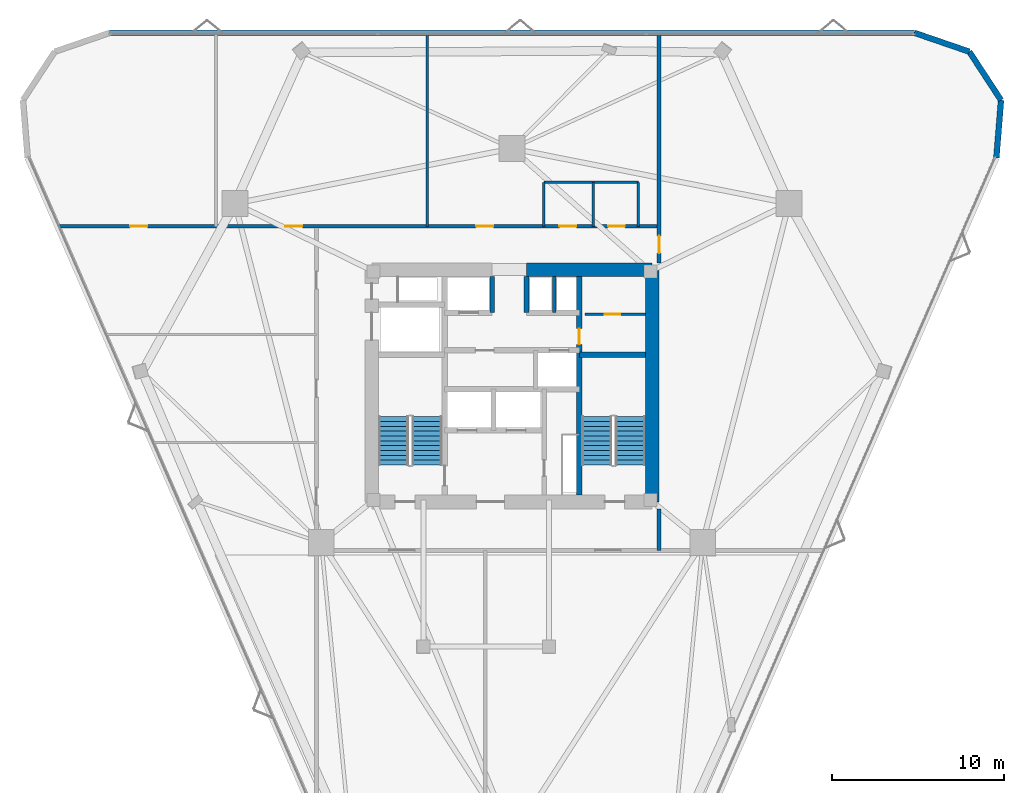
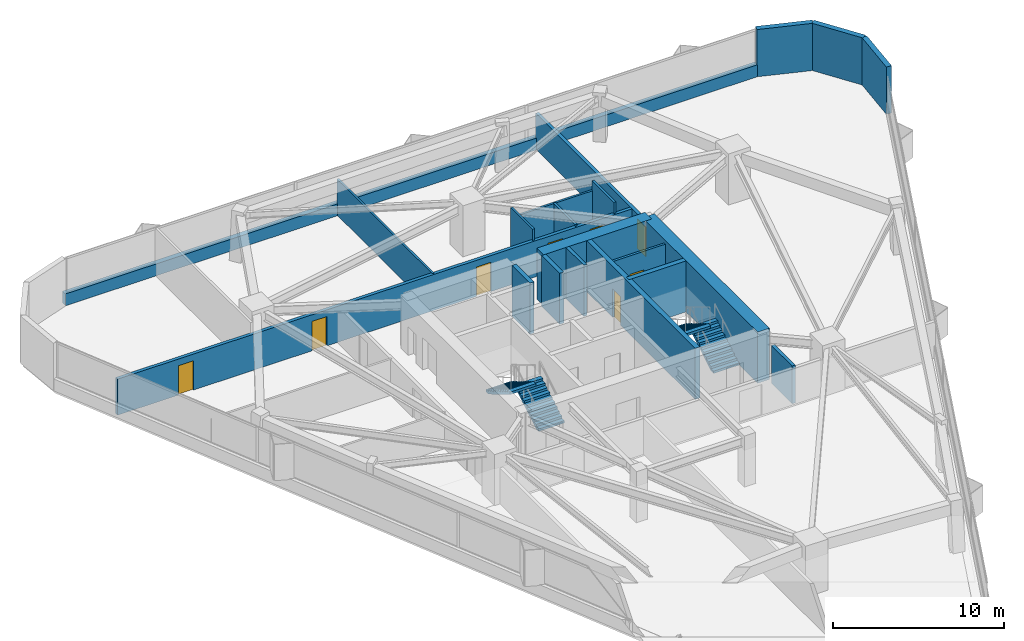
# One storey, part 11 of 13: 20 walls, 8 doors, 4 stair flights, 8 openings, 2 elements without a shape of their own.
"""IFC4 building model written with IfcOpenShell, lengths in metres."""

from ifc_helpers import new_model, si_unit, direction, frame, frame_2d, origin, place, context, subcontext, project, spatial, polyline, rectangle, outline, extrude, material, layer, layer_set, type_object, element, fill, aggregate, save


model = new_model("IFC4")

# Units and contexts
model_context = context("Model", 3, precision=1e-05, world=origin(), true_north=direction((0.0, 1.0)))
body_context = subcontext(model_context, "Body", "Model", "MODEL_VIEW")
ifc_project = project(units=[si_unit("LENGTHUNIT", "METRE"), si_unit("AREAUNIT", "SQUARE_METRE"), si_unit("VOLUMEUNIT", "CUBIC_METRE"), si_unit("PLANEANGLEUNIT", "RADIAN"), si_unit("MASSUNIT", "GRAM", prefix="KILO")], contexts=[model_context])

# Site, building, storey
site_placement = place(None, origin())
site = spatial("IfcSite", under=ifc_project, at=site_placement, CompositionType="ELEMENT")
building_placement = place(site_placement, origin())
building = spatial("IfcBuilding", under=site, at=building_placement, Name="Talyreon Biosciences Tower", CompositionType="ELEMENT")
storey_placement = place(building_placement, frame((0.0, 0.0, 145.449951171875)))
storey = spatial("IfcBuildingStorey", under=building, at=storey_placement, Name="L38", CompositionType="ELEMENT", Elevation=145.449951171875)

# Walls
ifc_material_1 = material(Name="Concrete C50/60", Category="concrete")
ifc_layer_1 = layer(ifc_material_1, 0.219970703125)
ifc_layer_set_1 = layer_set([ifc_layer_1], Name="Concrete C50/60")
wall_type_1 = type_object("IfcWallType", Name="CoreShearWall_220", PredefinedType="SHEAR", material=ifc_layer_set_1)
wall_1_placement = place(storey_placement, frame((68.4599609375, 72.25, 0.0), z_axis=(0.0, 0.0, 1.0), x_axis=(0.0, 1.0, 0.0)))
element("IfcWall", 1, at=wall_1_placement, inside=storey, type_object=wall_type_1, Name="L38 Core Shaft Wall SWPHD", PredefinedType="SHEAR", context=body_context, shape_type="SweptSolid", body=[
    extrude(rectangle(XDim=2.10009765625, YDim=0.219970703125, at=frame_2d((1.050048828125, 0.0))), origin(), (0.0, 0.0, 1.0), 3.650146484375),
])
ifc_layer_2 = layer(ifc_material_1, 0.280029296875)
ifc_layer_set_2 = layer_set([ifc_layer_2], Name="Concrete C50/60")
wall_type_2 = type_object("IfcWallType", Name="CoreShearWall_280", PredefinedType="SHEAR", material=ifc_layer_set_2)
for number, where, z_axis, x_axis, name in (
    (2, (64.85009765625, 72.25, 0.0), (0.0, 0.0, 1.0), (0.0, 1.0, 0.0), "L38 Core Shaft Wall SWTHW"),
    (3, (66.85009765625, 72.25, 0.0), (0.0, 0.0, 1.0), (0.0, 1.0, 0.0), "L38 Core Shaft Wall SWTHE"),
):
    element("IfcWall", number, at=place(storey_placement, frame(where, z_axis=z_axis, x_axis=x_axis)), inside=storey, type_object=wall_type_2, Name=name, PredefinedType="SHEAR", context=body_context, shape_type="SweptSolid", body=[
        extrude(rectangle(XDim=2.10009765625, YDim=0.280029296875, at=frame_2d((1.050048828125, 0.0))), origin(), (0.0, 0.0, 1.0), 3.650146484375),
    ])

# Wall, opening, door
ifc_layer_3 = layer(ifc_material_1, 0.320068359375)
ifc_layer_set_3 = layer_set([ifc_layer_3], Name="Concrete C50/60")
wall_type_3 = type_object("IfcWallType", Name="CoreShearWall_320", PredefinedType="SHEAR", material=ifc_layer_set_3)
wall_2_placement = place(storey_placement, frame((69.909912109375, 61.64990234375, 0.0), z_axis=(0.0, 0.0, 1.0), x_axis=(0.0, 1.0, 0.0)))
wall_2 = element("IfcWall", 4, at=wall_2_placement, inside=storey, type_object=wall_type_3, Name="L38 Core Shaft Wall SW2W", PredefinedType="SHEAR", context=body_context, shape_type="SweptSolid", body=[
    extrude(rectangle(XDim=12.7001953125, YDim=0.320068359375, at=frame_2d((6.35009765625, 0.0))), origin(), (0.0, 0.0, 1.0), 3.650146484375),
])
opening_1_placement = place(wall_2_placement, frame((8.75, 0.0, 0.0)))
opening_1 = element("IfcOpeningElement", 5, at=opening_1_placement, cuts=wall_2, Name="Opening DR-L38-CSRV", PredefinedType="OPENING", context=body_context, shape_type="SweptSolid", body=[
    extrude(rectangle(XDim=0.919921875, YDim=2.050048828125, at=frame_2d((0.4599609375, 1.02490234375))), frame((0.0, 0.169921875, 0.0), z_axis=(0.0, -1.0, 0.0), x_axis=(1.0, 0.0, 0.0)), (0.0, 0.0, 1.0), 0.340087890625),
])
ifc_material_2 = material(Name="Painted steel fire-rated riser door", Category="steel")
door_type_1 = type_object("IfcDoorType", Name="RiserPlantAccessDoor_920x2050", OperationType="NOTDEFINED", PredefinedType="DOOR", material=ifc_material_2)
door_1_placement = place(opening_1_placement, origin())
door_1 = element("IfcDoor", 6, at=door_1_placement, inside=storey, type_object=door_type_1, Name="L38 Core Door DR-L38-CSRV", OperationType="SINGLE_SWING_RIGHT", OverallHeight=2.050048828125, OverallWidth=0.919921875, PredefinedType="DOOR", context=body_context, shape_type="SweptSolid", body=[
    extrude(rectangle(XDim=0.919921875, YDim=2.050048828125, at=frame_2d((0.4599609375, 1.02490234375))), frame((0.0, 0.02490234375, 0.0), z_axis=(0.0, -1.0, 0.0), x_axis=(1.0, 0.0, 0.0)), (0.0, 0.0, 1.0), 0.050048828125),
])
fill(opening_1, door_1)

# Walls
wall_3_placement = place(storey_placement, frame((69.909912109375, 69.81005859375, 0.0), z_axis=(0.0, 0.0, 1.0), x_axis=(1.0, 0.0, 0.0)))
element("IfcWall", 7, at=wall_3_placement, inside=storey, type_object=wall_type_3, Name="L38 Core Shaft Wall SW2N", PredefinedType="SHEAR", context=body_context, shape_type="SweptSolid", body=[
    extrude(rectangle(XDim=3.840087890625, YDim=0.320068359375, at=frame_2d((1.919921875, 0.0))), origin(), (0.0, 0.0, 1.0), 3.650146484375),
])
ifc_material_3 = material(Name="Concrete C60/75", Category="concrete")
ifc_layer_4 = layer(ifc_material_3, 0.800048828125)
ifc_layer_set_4 = layer_set([ifc_layer_4], Name="Concrete C60/75")
wall_type_4 = type_object("IfcWallType", Name="CoreShearWall_800", PredefinedType="SHEAR", material=ifc_layer_set_4)
wall_4_placement = place(storey_placement, frame((74.14990234375, 61.25, 0.0), z_axis=(0.0, 0.0, 1.0), x_axis=(0.0, 1.0, 0.0)))
element("IfcWall", 8, at=wall_4_placement, inside=storey, type_object=wall_type_4, Name="L38 Core Shear Wall E", PredefinedType="SHEAR", context=body_context, shape_type="SweptSolid", body=[
    extrude(rectangle(XDim=13.5, YDim=0.800048828125, at=frame_2d((6.75, 0.0))), origin(), (0.0, 0.0, 1.0), 3.650146484375),
])
wall_5_placement = place(storey_placement, frame((74.14990234375, 74.75, 0.0), z_axis=(0.0, 0.0, 1.0), x_axis=(-1.0, 0.0, 0.0)))
element("IfcWall", 9, at=wall_5_placement, inside=storey, type_object=wall_type_4, Name="L38 Core Shear Wall NE", PredefinedType="SHEAR", context=body_context, shape_type="SweptSolid", body=[
    extrude(rectangle(XDim=7.2998046875, YDim=0.800048828125, at=frame_2d((3.64990234375, 0.0))), origin(), (0.0, 0.0, 1.0), 3.650146484375),
])

# Wall, openings, doors
ifc_material_4 = material(Name="Gypsum fireboard acoustic stud", Category="gypsum")
ifc_layer_5 = layer(ifc_material_4, 0.219970703125)
ifc_layer_set_5 = layer_set([ifc_layer_5], Name="Gypsum fireboard acoustic stud")
wall_type_5 = type_object("IfcWallType", Name="CorridorRatedPartition_220", PredefinedType="PARTITIONING", material=ifc_layer_set_5)
wall_6_placement = place(storey_placement, frame((39.665283203125, 77.27001953125, 0.0), z_axis=(0.0, 0.0, 1.0), x_axis=(1.0, 0.0, 0.0)))
wall_6 = element("IfcWall", 10, at=wall_6_placement, inside=storey, type_object=wall_type_5, Name="L38 Interior Wall IW-L38-COR-N", PredefinedType="PARTITIONING", context=body_context, shape_type="SweptSolid", body=[
    extrude(rectangle(XDim=34.884765625, YDim=0.219970703125, at=frame_2d((17.4423828125, 0.0))), origin(), (0.0, 0.0, 1.0), 2.574951171875),
])
opening_2_placement = place(wall_6_placement, frame((29.094970703125, 0.0, 0.0)))
opening_2 = element("IfcOpeningElement", 11, at=opening_2_placement, cuts=wall_6, Name="Opening DR-L38-WC", PredefinedType="OPENING", context=body_context, shape_type="SweptSolid", body=[
    extrude(rectangle(XDim=0.97998046875, YDim=2.10009765625, at=frame_2d((0.489990234375, 1.050048828125))), frame((0.0, 0.119873046875, 0.0), z_axis=(0.0, -1.0, 0.0), x_axis=(1.0, 0.0, 0.0)), (0.0, 0.0, 1.0), 0.239990234375),
])
opening_3_placement = place(wall_6_placement, frame((31.919921875, 0.0, 0.0)))
opening_3 = element("IfcOpeningElement", 12, at=opening_3_placement, cuts=wall_6, Name="Opening DR-L38-AWC", PredefinedType="OPENING", context=body_context, shape_type="SweptSolid", body=[
    extrude(rectangle(XDim=0.97998046875, YDim=2.10009765625, at=frame_2d((0.489990234375, 1.050048828125))), frame((0.0, 0.119873046875, 0.0), z_axis=(0.0, -1.0, 0.0), x_axis=(1.0, 0.0, 0.0)), (0.0, 0.0, 1.0), 0.239990234375),
])
opening_4_placement = place(wall_6_placement, frame((4.137939453125, 0.0, 0.0)))
opening_4 = element("IfcOpeningElement", 13, at=opening_4_placement, cuts=wall_6, Name="Opening DR-L38-N1A", PredefinedType="OPENING", context=body_context, shape_type="SweptSolid", body=[
    extrude(rectangle(XDim=1.0, YDim=2.10009765625, at=frame_2d((0.5, 1.050048828125))), frame((0.0, 0.119873046875, 0.0), z_axis=(0.0, -1.0, 0.0), x_axis=(1.0, 0.0, 0.0)), (0.0, 0.0, 1.0), 0.239990234375),
])
opening_5_placement = place(wall_6_placement, frame((13.155029296875, 0.0, 0.0)))
opening_5 = element("IfcOpeningElement", 14, at=opening_5_placement, cuts=wall_6, Name="Opening DR-L38-N2A", PredefinedType="OPENING", context=body_context, shape_type="SweptSolid", body=[
    extrude(rectangle(XDim=1.0, YDim=2.10009765625, at=frame_2d((0.5, 1.050048828125))), frame((0.0, 0.119873046875, 0.0), z_axis=(0.0, -1.0, 0.0), x_axis=(1.0, 0.0, 0.0)), (0.0, 0.0, 1.0), 0.239990234375),
])
opening_6_placement = place(wall_6_placement, frame((24.2548828125, 0.0, 0.0)))
opening_6 = element("IfcOpeningElement", 15, at=opening_6_placement, cuts=wall_6, Name="Opening DR-L38-N3A", PredefinedType="OPENING", context=body_context, shape_type="SweptSolid", body=[
    extrude(rectangle(XDim=1.0, YDim=2.10009765625, at=frame_2d((0.5, 1.050048828125))), frame((0.0, 0.119873046875, 0.0), z_axis=(0.0, -1.0, 0.0), x_axis=(1.0, 0.0, 0.0)), (0.0, 0.0, 1.0), 0.239990234375),
])
ifc_material_5 = material(Name="Laminate moisture-resistant door", Category="wood")
door_type_2 = type_object("IfcDoorType", Name="AccessibleToiletDoor_980x2100", OperationType="NOTDEFINED", PredefinedType="DOOR", material=ifc_material_5)
door_2_placement = place(opening_2_placement, origin())
door_2 = element("IfcDoor", 16, at=door_2_placement, inside=storey, type_object=door_type_2, Name="L38 Interior Door DR-L38-WC", OperationType="SINGLE_SWING_LEFT", OverallHeight=2.10009765625, OverallWidth=0.97998046875, PredefinedType="DOOR", context=body_context, shape_type="SweptSolid", body=[
    extrude(rectangle(XDim=0.97998046875, YDim=2.10009765625, at=frame_2d((0.489990234375, 1.050048828125))), frame((0.0, 0.02490234375, 0.0), z_axis=(0.0, -1.0, 0.0), x_axis=(1.0, 0.0, 0.0)), (0.0, 0.0, 1.0), 0.050048828125),
])
fill(opening_2, door_2)
door_3_placement = place(opening_3_placement, origin())
door_3 = element("IfcDoor", 17, at=door_3_placement, inside=storey, type_object=door_type_2, Name="L38 Interior Door DR-L38-AWC", OperationType="SINGLE_SWING_LEFT", OverallHeight=2.10009765625, OverallWidth=0.97998046875, PredefinedType="DOOR", context=body_context, shape_type="SweptSolid", body=[
    extrude(rectangle(XDim=0.97998046875, YDim=2.10009765625, at=frame_2d((0.489990234375, 1.050048828125))), frame((0.0, 0.02490234375, 0.0), z_axis=(0.0, -1.0, 0.0), x_axis=(1.0, 0.0, 0.0)), (0.0, 0.0, 1.0), 0.050048828125),
])
fill(opening_3, door_3)
ifc_material_6 = material(Name="Acoustic oak veneer office door", Category="wood")
door_type_3 = type_object("IfcDoorType", Name="WriteupOfficeDoor_1000x2100", OperationType="NOTDEFINED", PredefinedType="DOOR", material=ifc_material_6)
door_4_placement = place(opening_4_placement, origin())
door_4 = element("IfcDoor", 18, at=door_4_placement, inside=storey, type_object=door_type_3, Name="L38 Interior Door DR-L38-N1A", OperationType="SINGLE_SWING_LEFT", OverallHeight=2.10009765625, OverallWidth=1.0, PredefinedType="DOOR", context=body_context, shape_type="SweptSolid", body=[
    extrude(rectangle(XDim=1.0, YDim=2.10009765625, at=frame_2d((0.5, 1.050048828125))), frame((0.0, 0.02490234375, 0.0), z_axis=(0.0, -1.0, 0.0), x_axis=(1.0, 0.0, 0.0)), (0.0, 0.0, 1.0), 0.050048828125),
])
fill(opening_4, door_4)
door_5_placement = place(opening_5_placement, origin())
door_5 = element("IfcDoor", 19, at=door_5_placement, inside=storey, type_object=door_type_3, Name="L38 Interior Door DR-L38-N2A", OperationType="SINGLE_SWING_RIGHT", OverallHeight=2.10009765625, OverallWidth=1.0, PredefinedType="DOOR", context=body_context, shape_type="SweptSolid", body=[
    extrude(rectangle(XDim=1.0, YDim=2.10009765625, at=frame_2d((0.5, 1.050048828125))), frame((0.0, 0.02490234375, 0.0), z_axis=(0.0, -1.0, 0.0), x_axis=(1.0, 0.0, 0.0)), (0.0, 0.0, 1.0), 0.050048828125),
])
fill(opening_5, door_5)
door_6_placement = place(opening_6_placement, origin())
door_6 = element("IfcDoor", 20, at=door_6_placement, inside=storey, type_object=door_type_3, Name="L38 Interior Door DR-L38-N3A", OperationType="SINGLE_SWING_LEFT", OverallHeight=2.10009765625, OverallWidth=1.0, PredefinedType="DOOR", context=body_context, shape_type="SweptSolid", body=[
    extrude(rectangle(XDim=1.0, YDim=2.10009765625, at=frame_2d((0.5, 1.050048828125))), frame((0.0, 0.02490234375, 0.0), z_axis=(0.0, -1.0, 0.0), x_axis=(1.0, 0.0, 0.0)), (0.0, 0.0, 1.0), 0.050048828125),
])
fill(opening_6, door_6)

# Wall, opening, door
wall_7_placement = place(storey_placement, frame((74.550048828125, 75.14990234375, 0.0), z_axis=(0.0, 0.0, 1.0), x_axis=(0.0, 1.0, 0.0)))
wall_7 = element("IfcWall", 21, at=wall_7_placement, inside=storey, type_object=wall_type_5, Name="L38 Interior Wall IW-L38-ECAP-N", PredefinedType="PARTITIONING", context=body_context, shape_type="SweptSolid", body=[
    extrude(rectangle(XDim=13.284423828125, YDim=0.219970703125, at=frame_2d((6.64208984375, 0.0))), origin(), (0.0, 0.0, 1.0), 2.574951171875),
])
opening_7_placement = place(wall_7_placement, frame((0.56005859375, 0.0, 0.0)))
opening_7 = element("IfcOpeningElement", 22, at=opening_7_placement, cuts=wall_7, Name="Opening DR-L38-E1A", PredefinedType="OPENING", context=body_context, shape_type="SweptSolid", body=[
    extrude(rectangle(XDim=1.0, YDim=2.10009765625, at=frame_2d((0.5, 1.050048828125))), frame((0.0, 0.119873046875, 0.0), z_axis=(0.0, -1.0, 0.0), x_axis=(1.0, 0.0, 0.0)), (0.0, 0.0, 1.0), 0.239990234375),
])
door_7_placement = place(opening_7_placement, origin())
door_7 = element("IfcDoor", 23, at=door_7_placement, inside=storey, type_object=door_type_3, Name="L38 Interior Door DR-L38-E1A", OperationType="SINGLE_SWING_LEFT", OverallHeight=2.10009765625, OverallWidth=1.0, PredefinedType="DOOR", context=body_context, shape_type="SweptSolid", body=[
    extrude(rectangle(XDim=1.0, YDim=2.10009765625, at=frame_2d((0.5, 1.050048828125))), frame((0.0, 0.02490234375, 0.0), z_axis=(0.0, -1.0, 0.0), x_axis=(1.0, 0.0, 0.0)), (0.0, 0.0, 1.0), 0.050048828125),
])
fill(opening_7, door_7)

# Wall
wall_8_placement = place(storey_placement, frame((74.550048828125, 58.419921875, 0.0), z_axis=(0.0, 0.0, 1.0), x_axis=(0.0, 1.0, 0.0)))
element("IfcWall", 24, at=wall_8_placement, inside=storey, type_object=wall_type_5, Name="L38 Interior Wall IW-L38-ECAP-S", PredefinedType="PARTITIONING", context=body_context, shape_type="SweptSolid", body=[
    extrude(rectangle(XDim=2.43017578125, YDim=0.219970703125, at=frame_2d((1.215087890625, 0.0))), origin(), (0.0, 0.0, 1.0), 2.705078125),
])

# Wall, opening, door
ifc_material_7 = material(Name="Gypsum acoustic stud partition", Category="gypsum")
ifc_layer_6 = layer(ifc_material_7, 0.159912109375)
ifc_layer_set_6 = layer_set([ifc_layer_6], Name="Gypsum acoustic stud partition")
wall_type_6 = type_object("IfcWallType", Name="LabSeparationPartition_160", PredefinedType="PARTITIONING", material=ifc_layer_set_6)
wall_9_placement = place(storey_placement, frame((70.22998046875, 72.14990234375, 0.0), z_axis=(0.0, 0.0, 1.0), x_axis=(1.0, 0.0, 0.0)))
wall_9 = element("IfcWall", 25, at=wall_9_placement, inside=storey, type_object=wall_type_6, Name="L38 Interior Wall IW-L38-CSRV-H", PredefinedType="PARTITIONING", context=body_context, shape_type="SweptSolid", body=[
    extrude(rectangle(XDim=3.52001953125, YDim=0.159912109375, at=frame_2d((1.760009765625, 0.0))), origin(), (0.0, 0.0, 1.0), 3.375),
])
opening_8_placement = place(wall_9_placement, frame((1.14990234375, 0.0, 0.0)))
opening_8 = element("IfcOpeningElement", 26, at=opening_8_placement, cuts=wall_9, Name="Opening DR-L38-CSRV-I", PredefinedType="OPENING", context=body_context, shape_type="SweptSolid", body=[
    extrude(rectangle(XDim=0.919921875, YDim=2.050048828125, at=frame_2d((0.4599609375, 1.02490234375))), frame((0.0, 0.08984375, 0.0), z_axis=(0.0, -1.0, 0.0), x_axis=(1.0, 0.0, 0.0)), (0.0, 0.0, 1.0), 0.179931640625),
])
door_8_placement = place(opening_8_placement, origin())
door_8 = element("IfcDoor", 27, at=door_8_placement, inside=storey, type_object=door_type_1, Name="L38 Interior Door DR-L38-CSRV-I", OperationType="SINGLE_SWING_LEFT", OverallHeight=2.050048828125, OverallWidth=0.919921875, PredefinedType="DOOR", context=body_context, shape_type="SweptSolid", body=[
    extrude(rectangle(XDim=0.919921875, YDim=2.050048828125, at=frame_2d((0.4599609375, 1.02490234375))), frame((0.0, 0.02490234375, 0.0), z_axis=(0.0, -1.0, 0.0), x_axis=(1.0, 0.0, 0.0)), (0.0, 0.0, 1.0), 0.050048828125),
])
fill(opening_8, door_8)

# Walls
ifc_layer_7 = layer(ifc_material_7, 0.1298828125)
ifc_layer_set_7 = layer_set([ifc_layer_7], Name="Gypsum acoustic stud partition")
wall_type_7 = type_object("IfcWallType", Name="OfficeWriteupPartition_130", PredefinedType="PARTITIONING", material=ifc_layer_set_7)
wall_10_placement = place(storey_placement, frame((61.071044921875, 77.27001953125, 0.0), z_axis=(0.0, 0.0, 1.0), x_axis=(0.0, 1.0, 0.0)))
element("IfcWall", 28, at=wall_10_placement, inside=storey, type_object=wall_type_7, Name="L38 Interior Wall IW-L38-NDIV2", PredefinedType="PARTITIONING", context=body_context, shape_type="SweptSolid", body=[
    extrude(rectangle(XDim=11.164306640625, YDim=0.1298828125, at=frame_2d((5.58203125, 0.0))), origin(), (0.0, 0.0, 1.0), 2.574951171875),
])
ifc_material_8 = material(Name="Precast concrete C45/55", Category="concrete")
ifc_layer_8 = layer(ifc_material_8, 0.340087890625)
ifc_layer_set_8 = layer_set([ifc_layer_8], Name="Precast concrete C45/55")
wall_type_8 = type_object("IfcWallType", Name="PrecastConcreteSpandrelWall_340", PredefinedType="STANDARD", material=ifc_layer_set_8)
wall_11_placement = place(storey_placement, frame((42.607666015625, 88.519287109375, 0.0), z_axis=(0.0, 0.0, 1.0), x_axis=(1.0, 0.0, 0.0)))
element("IfcWall", 29, at=wall_11_placement, inside=storey, type_object=wall_type_8, Name="L38 Expressed Concrete Sill Wall 04", PredefinedType="STANDARD", context=body_context, shape_type="SweptSolid", body=[
    extrude(rectangle(XDim=46.78466796875, YDim=0.340087890625, at=frame_2d((23.392333984375, 0.0))), origin(), (0.0, 0.0, 1.0), 0.85009765625),
])
for number, where, z_axis, x_axis, name in (
    (30, (89.392333984375, 88.519287109375, 0.0), (0.0, 0.0, 1.0), (0.94594911795, -0.324315072497, 0.0), "L38 Rounded-Corner Concrete Pier 05"),
    (31, (92.583251953125, 87.42529296875, 0.0), (0.0, 0.0, 1.0), (0.547867350875, -0.836565219123, 0.0), "L38 Rounded-Corner Concrete Pier 06"),
    (32, (94.431396484375, 84.603271484375, 0.0), (0.0, 0.0, 1.0), (-0.080769230079, -0.996732828532, 0.0), "L38 Rounded-Corner Concrete Pier 07"),
):
    element("IfcWall", number, at=place(storey_placement, frame(where, z_axis=z_axis, x_axis=x_axis)), inside=storey, type_object=wall_type_8, Name=name, PredefinedType="STANDARD", context=body_context, shape_type="SweptSolid", body=[
        extrude(rectangle(XDim=3.373291015625, YDim=0.340087890625, at=frame_2d((1.6865234375, 0.0))), origin(), (0.0, 0.0, 1.0), 3.375),
    ])
ifc_material_9 = material(Name="Moisture-resistant cement-board stud", Category="gypsum")
ifc_layer_9 = layer(ifc_material_9, 0.14501953125)
ifc_layer_set_9 = layer_set([ifc_layer_9], Name="Moisture-resistant cement-board stud")
wall_type_9 = type_object("IfcWallType", Name="WetRoomPartition_145", PredefinedType="PARTITIONING", material=ifc_layer_set_9)
wall_12_placement = place(storey_placement, frame((67.85009765625, 77.27001953125, 0.0), z_axis=(0.0, 0.0, 1.0), x_axis=(0.0, 1.0, 0.0)))
element("IfcWall", 33, at=wall_12_placement, inside=storey, type_object=wall_type_9, Name="L38 Interior Wall IW-L38-WCL", PredefinedType="PARTITIONING", context=body_context, shape_type="SweptSolid", body=[
    extrude(rectangle(XDim=2.550048828125, YDim=0.14501953125, at=frame_2d((1.27490234375, 0.0))), origin(), (0.0, 0.0, 1.0), 3.375),
])
wall_13_placement = place(storey_placement, frame((70.72509765625, 77.27001953125, 0.0), z_axis=(0.0, 0.0, 1.0), x_axis=(0.0, 1.0, 0.0)))
element("IfcWall", 34, at=wall_13_placement, inside=storey, type_object=wall_type_9, Name="L38 Interior Wall IW-L38-WCM", PredefinedType="PARTITIONING", context=body_context, shape_type="SweptSolid", body=[
    extrude(rectangle(XDim=2.550048828125, YDim=0.14501953125, at=frame_2d((1.27490234375, 0.0))), origin(), (0.0, 0.0, 1.0), 2.705078125),
])
wall_14_placement = place(storey_placement, frame((73.35009765625, 77.27001953125, 0.0), z_axis=(0.0, 0.0, 1.0), x_axis=(0.0, 1.0, 0.0)))
element("IfcWall", 35, at=wall_14_placement, inside=storey, type_object=wall_type_9, Name="L38 Interior Wall IW-L38-WCR", PredefinedType="PARTITIONING", context=body_context, shape_type="SweptSolid", body=[
    extrude(rectangle(XDim=2.550048828125, YDim=0.14501953125, at=frame_2d((1.27490234375, 0.0))), origin(), (0.0, 0.0, 1.0), 3.375),
])
wall_15_placement = place(storey_placement, frame((67.85009765625, 79.820068359375, 0.0), z_axis=(0.0, 0.0, 1.0), x_axis=(1.0, 0.0, 0.0)))
element("IfcWall", 36, at=wall_15_placement, inside=storey, type_object=wall_type_9, Name="L38 Interior Wall IW-L38-WCT", PredefinedType="PARTITIONING", context=body_context, shape_type="SweptSolid", body=[
    extrude(rectangle(XDim=5.5, YDim=0.14501953125, at=frame_2d((2.75, 0.0))), origin(), (0.0, 0.0, 1.0), 2.705078125),
])

# Stair, stair flights
ifc_material_10 = material(Name="Concrete C40/50", Category="concrete")
stair_type = type_object("IfcStairType", Name="DoglegEscapeStair_3650", PredefinedType="HALF_TURN_STAIR", material=ifc_material_10)
stair_1_placement = place(storey_placement, origin())
stair_1 = element("IfcStair", 37, at=stair_1_placement, inside=storey, type_object=stair_type, Name="L38 Core Escape Stair 1", PredefinedType="HALF_TURN_STAIR")
stair_flight_type = type_object("IfcStairFlightType", Name="PrecastStairFlight_3650", PredefinedType="STRAIGHT", material=ifc_material_10)
stair_flight_1_placement = place(storey_placement, frame((61.06005859375, 63.39990234375, 0.0), z_axis=(0.0, 0.0, 1.0), x_axis=(0.0, 1.0, 0.0)))
stair_flight_1 = element("IfcStairFlight", 38, at=stair_flight_1_placement, type_object=stair_flight_type, Name="ST-1 flight 1", NumberOfRisers=11, NumberOfTreads=10, PredefinedType="STRAIGHT", RiserHeight=0.165909091, TreadLength=0.28, context=body_context, shape_type="SweptSolid", body=[
    extrude(outline(polyline([(0.0, 0.0), (0.0, 0.166015625), (0.280029296875, 0.166015625), (0.280029296875, 0.331787109375), (0.56005859375, 0.331787109375), (0.56005859375, 0.497802734375), (0.840087890625, 0.497802734375), (0.840087890625, 0.66357421875), (1.1201171875, 0.66357421875), (1.1201171875, 0.82958984375), (1.39990234375, 0.82958984375), (1.39990234375, 0.995361328125), (1.679931640625, 0.995361328125), (1.679931640625, 1.161376953125), (1.9599609375, 1.161376953125), (1.9599609375, 1.327392578125), (2.239990234375, 1.327392578125), (2.239990234375, 1.4931640625), (2.52001953125, 1.4931640625), (2.52001953125, 1.6591796875), (2.800048828125, 1.6591796875), (2.800048828125, 1.824951171875), (2.800048828125, 1.48486328125), (0.2939453125, 0.0), (0.0, 0.0)])), frame((0.0, 0.8701171875, 0.0), z_axis=(0.0, -1.0, 0.0), x_axis=(1.0, 0.0, 0.0)), (0.0, 0.0, 1.0), 1.739990234375),
])
stair_flight_2_placement = place(storey_placement, frame((59.1201171875, 66.199951171875, 1.824951171875), z_axis=(0.0, 0.0, 1.0), x_axis=(0.0, -1.0, 0.0)))
stair_flight_2 = element("IfcStairFlight", 39, at=stair_flight_2_placement, type_object=stair_flight_type, Name="ST-1 flight 2", NumberOfRisers=11, NumberOfTreads=10, PredefinedType="STRAIGHT", RiserHeight=0.165909091, TreadLength=0.28, context=body_context, shape_type="SweptSolid", body=[
    extrude(outline(polyline([(0.0, 0.0), (0.0, 0.166015625), (0.280029296875, 0.166015625), (0.280029296875, 0.331787109375), (0.56005859375, 0.331787109375), (0.56005859375, 0.497802734375), (0.840087890625, 0.497802734375), (0.840087890625, 0.66357421875), (1.1201171875, 0.66357421875), (1.1201171875, 0.82958984375), (1.39990234375, 0.82958984375), (1.39990234375, 0.995361328125), (1.679931640625, 0.995361328125), (1.679931640625, 1.161376953125), (1.9599609375, 1.161376953125), (1.9599609375, 1.327392578125), (2.239990234375, 1.327392578125), (2.239990234375, 1.4931640625), (2.52001953125, 1.4931640625), (2.52001953125, 1.6591796875), (2.800048828125, 1.6591796875), (2.800048828125, 1.824951171875), (2.800048828125, 1.48486328125), (0.2939453125, 0.0), (0.0, 0.0)])), frame((0.0, 0.8701171875, 0.0), z_axis=(0.0, -1.0, 0.0), x_axis=(1.0, 0.0, 0.0)), (0.0, 0.0, 1.0), 1.739990234375),
])
aggregate(stair_1, [stair_flight_1, stair_flight_2])

stair_2_placement = place(storey_placement, origin())
stair_2 = element("IfcStair", 40, at=stair_2_placement, inside=storey, type_object=stair_type, Name="L38 Core Escape Stair 2", PredefinedType="HALF_TURN_STAIR")
stair_flight_3_placement = place(storey_placement, frame((72.8798828125, 63.39990234375, 0.0), z_axis=(0.0, 0.0, 1.0), x_axis=(0.0, 1.0, 0.0)))
stair_flight_3 = element("IfcStairFlight", 41, at=stair_flight_3_placement, type_object=stair_flight_type, Name="ST-2 flight 1", NumberOfRisers=11, NumberOfTreads=10, PredefinedType="STRAIGHT", RiserHeight=0.165909091, TreadLength=0.28, context=body_context, shape_type="SweptSolid", body=[
    extrude(outline(polyline([(0.0, 0.0), (0.0, 0.166015625), (0.280029296875, 0.166015625), (0.280029296875, 0.331787109375), (0.56005859375, 0.331787109375), (0.56005859375, 0.497802734375), (0.840087890625, 0.497802734375), (0.840087890625, 0.66357421875), (1.1201171875, 0.66357421875), (1.1201171875, 0.82958984375), (1.39990234375, 0.82958984375), (1.39990234375, 0.995361328125), (1.679931640625, 0.995361328125), (1.679931640625, 1.161376953125), (1.9599609375, 1.161376953125), (1.9599609375, 1.327392578125), (2.239990234375, 1.327392578125), (2.239990234375, 1.4931640625), (2.52001953125, 1.4931640625), (2.52001953125, 1.6591796875), (2.800048828125, 1.6591796875), (2.800048828125, 1.824951171875), (2.800048828125, 1.48486328125), (0.2939453125, 0.0), (0.0, 0.0)])), frame((0.0, 0.8701171875, 0.0), z_axis=(0.0, -1.0, 0.0), x_axis=(1.0, 0.0, 0.0)), (0.0, 0.0, 1.0), 1.739990234375),
])
stair_flight_4_placement = place(storey_placement, frame((70.93994140625, 66.199951171875, 1.824951171875), z_axis=(0.0, 0.0, 1.0), x_axis=(0.0, -1.0, 0.0)))
stair_flight_4 = element("IfcStairFlight", 42, at=stair_flight_4_placement, type_object=stair_flight_type, Name="ST-2 flight 2", NumberOfRisers=11, NumberOfTreads=10, PredefinedType="STRAIGHT", RiserHeight=0.165909091, TreadLength=0.28, context=body_context, shape_type="SweptSolid", body=[
    extrude(outline(polyline([(0.0, 0.0), (0.0, 0.166015625), (0.280029296875, 0.166015625), (0.280029296875, 0.331787109375), (0.56005859375, 0.331787109375), (0.56005859375, 0.497802734375), (0.840087890625, 0.497802734375), (0.840087890625, 0.66357421875), (1.1201171875, 0.66357421875), (1.1201171875, 0.82958984375), (1.39990234375, 0.82958984375), (1.39990234375, 0.995361328125), (1.679931640625, 0.995361328125), (1.679931640625, 1.161376953125), (1.9599609375, 1.161376953125), (1.9599609375, 1.327392578125), (2.239990234375, 1.327392578125), (2.239990234375, 1.4931640625), (2.52001953125, 1.4931640625), (2.52001953125, 1.6591796875), (2.800048828125, 1.6591796875), (2.800048828125, 1.824951171875), (2.800048828125, 1.48486328125), (0.2939453125, 0.0), (0.0, 0.0)])), frame((0.0, 0.8701171875, 0.0), z_axis=(0.0, -1.0, 0.0), x_axis=(1.0, 0.0, 0.0)), (0.0, 0.0, 1.0), 1.739990234375),
])
aggregate(stair_2, [stair_flight_3, stair_flight_4])

save(model, "model.ifc")
